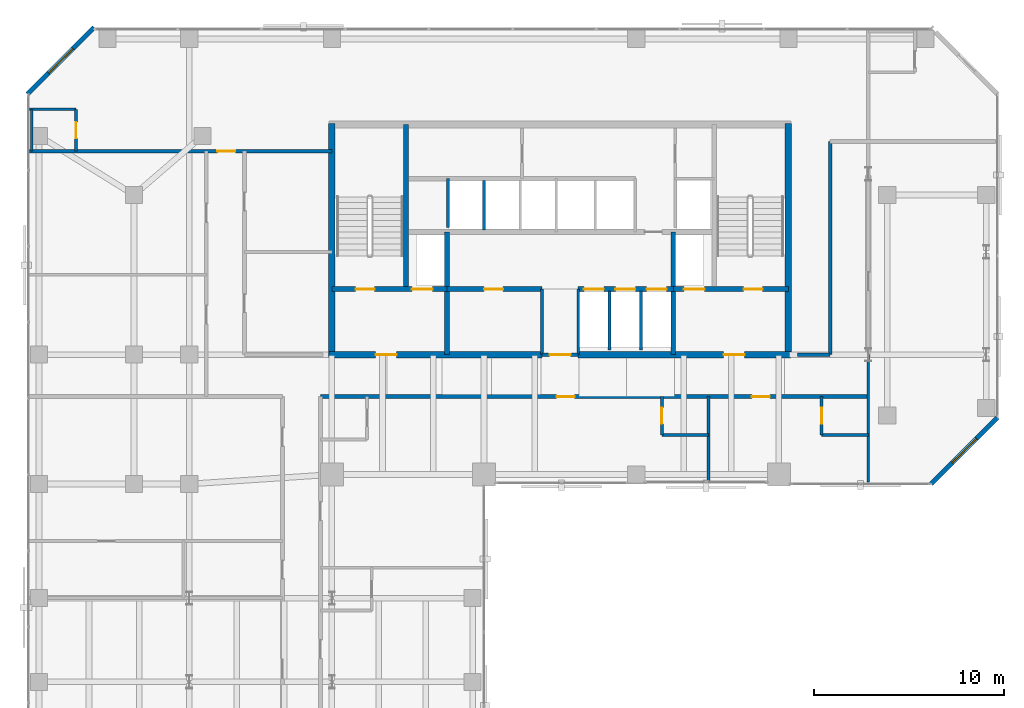
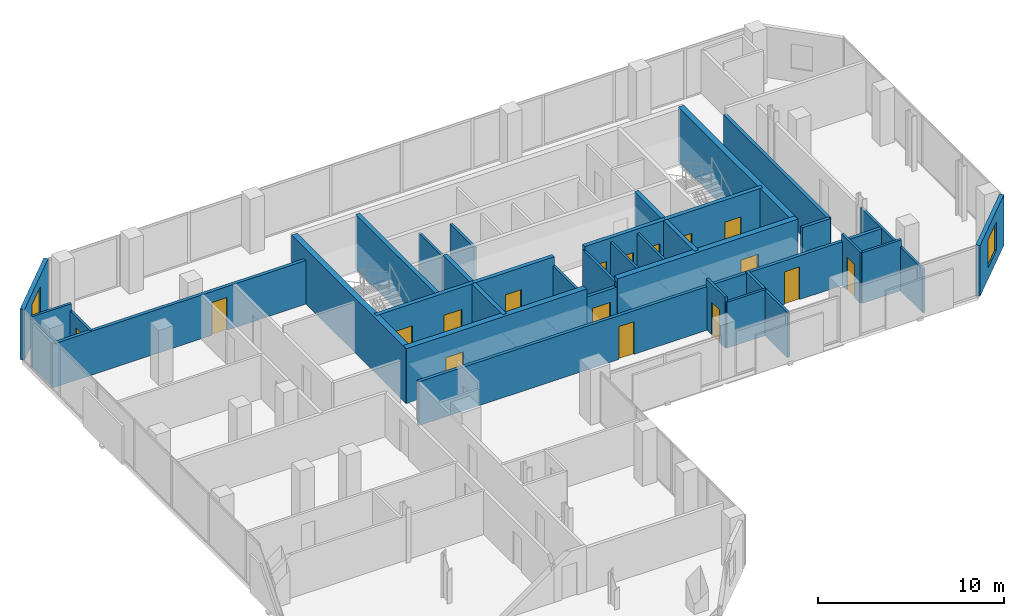
# One storey, part 29 of 33: 33 walls, 17 doors, 2 windows, 19 openings.
"""IFC4 building model written with IfcOpenShell, lengths in metres."""

from ifc_helpers import new_model, si_unit, direction, frame, frame_2d, origin, place, context, subcontext, project, spatial, rectangle, extrude, material, layer, layer_set, type_object, element, fill, save


model = new_model("IFC4")

# Units and contexts
model_context = context("Model", 3, precision=1e-05, world=origin(), true_north=direction((0.0, 1.0)))
body_context = subcontext(model_context, "Body", "Model", "MODEL_VIEW")
ifc_project = project(units=[si_unit("LENGTHUNIT", "METRE"), si_unit("AREAUNIT", "SQUARE_METRE"), si_unit("VOLUMEUNIT", "CUBIC_METRE"), si_unit("PLANEANGLEUNIT", "RADIAN"), si_unit("MASSUNIT", "GRAM", prefix="KILO")], contexts=[model_context])

# Site, building, storey
site_placement = place(None, origin())
site = spatial("IfcSite", under=ifc_project, at=site_placement, CompositionType="ELEMENT")
building_placement = place(site_placement, origin())
building = spatial("IfcBuilding", under=site, at=building_placement, Name="Catumbela Crestline Tower", CompositionType="ELEMENT")
storey_placement = place(building_placement, frame((0.0, 0.0, 104.4)))
storey = spatial("IfcBuildingStorey", under=building, at=storey_placement, Name="L26", CompositionType="ELEMENT", Elevation=104.4)

# Walls
ifc_material_1 = material(Name="Concrete C50/60", Category="concrete")
ifc_layer_1 = layer(ifc_material_1, 0.25, Name="Concrete C50/60")
ifc_layer_set_1 = layer_set([ifc_layer_1], Name="Concrete C50/60")
wall_type_1 = type_object("IfcWallType", Name="CW-250D", PredefinedType="SHEAR", material=ifc_layer_set_1)
wall_1_placement = place(storey_placement, frame((19.9, 34.25, 0.0), z_axis=(0.0, 0.0, 1.0), x_axis=(0.0, 1.0, 0.0)))
element("IfcWall", 1, at=wall_1_placement, inside=storey, type_object=wall_type_1, Name="L26 Structural Core Shear Wall WWEB", PredefinedType="SHEAR", context=body_context, shape_type="SweptSolid", body=[
    extrude(rectangle(XDim=8.65, YDim=0.25, at=frame_2d((4.325, 0.0))), origin(), (0.0, 0.0, 1.0), 3.6),
])
for number, where, z_axis, x_axis, name in (
    (2, (22.05, 30.8, 0.0), (0.0, 0.0, 1.0), (0.0, 1.0, 0.0), "L26 Structural Core Shear Wall FFW"),
    (3, (33.95, 30.8, 0.0), (0.0, 0.0, 1.0), (0.0, 1.0, 0.0), "L26 Structural Core Shear Wall FFE"),
):
    element("IfcWall", number, at=place(storey_placement, frame(where, z_axis=z_axis, x_axis=x_axis)), inside=storey, type_object=wall_type_1, Name=name, PredefinedType="SHEAR", context=body_context, shape_type="SweptSolid", body=[
        extrude(rectangle(XDim=6.45, YDim=0.25, at=frame_2d((3.225, 0.0))), origin(), (0.0, 0.0, 1.0), 3.6),
    ])

# Wall, openings, doors
wall_2_placement = place(storey_placement, frame((16.0, 34.25, 0.0), z_axis=(0.0, 0.0, 1.0), x_axis=(1.0, 0.0, 0.0)))
wall_2 = element("IfcWall", 4, at=wall_2_placement, inside=storey, type_object=wall_type_1, Name="L26 Structural Core Shear Wall ST1S", PredefinedType="SHEAR", context=body_context, shape_type="SweptSolid", body=[
    extrude(rectangle(XDim=6.05, YDim=0.25, at=frame_2d((3.025, 0.0))), origin(), (0.0, 0.0, 1.0), 3.6),
])
opening_1_placement = place(wall_2_placement, frame((1.25, 0.0, 0.0)))
opening_1 = element("IfcOpeningElement", 5, at=opening_1_placement, cuts=wall_2, Name="Opening DF9-100", PredefinedType="OPENING", context=body_context, shape_type="SweptSolid", body=[
    extrude(rectangle(XDim=1.0, YDim=2.15, at=frame_2d((0.5, 1.075))), frame((0.0, 0.135, 0.0), z_axis=(0.0, -1.0, 0.0), x_axis=(1.0, 0.0, 0.0)), (0.0, 0.0, 1.0), 0.27),
])
opening_2_placement = place(wall_2_placement, frame((4.2, 0.0, 0.0)))
opening_2 = element("IfcOpeningElement", 6, at=opening_2_placement, cuts=wall_2, Name="Opening LD-110", PredefinedType="OPENING", context=body_context, shape_type="SweptSolid", body=[
    extrude(rectangle(XDim=1.1, YDim=2.15, at=frame_2d((0.55, 1.075))), frame((0.0, 0.135, 0.0), z_axis=(0.0, -1.0, 0.0), x_axis=(1.0, 0.0, 0.0)), (0.0, 0.0, 1.0), 0.27),
])
ifc_material_2 = material(Name="Stainless steel EN 1.4401", Category="steel")
door_type_1 = type_object("IfcDoorType", Name="DF9-100", OperationType="NOTDEFINED", PredefinedType="DOOR", material=ifc_material_2)
door_1_placement = place(opening_1_placement, origin())
door_1 = element("IfcDoor", 7, at=door_1_placement, inside=storey, type_object=door_type_1, Name="L26 Interior Door DR-L26-ST01", OperationType="SINGLE_SWING_LEFT", OverallHeight=2.15, OverallWidth=1.0, PredefinedType="DOOR", context=body_context, shape_type="SweptSolid", body=[
    extrude(rectangle(XDim=1.0, YDim=2.15, at=frame_2d((0.5, 1.075))), frame((0.0, 0.025, 0.0), z_axis=(0.0, -1.0, 0.0), x_axis=(1.0, 0.0, 0.0)), (0.0, 0.0, 1.0), 0.05),
])
fill(opening_1, door_1)
door_type_2 = type_object("IfcDoorType", Name="LD-110", OperationType="NOTDEFINED", PredefinedType="DOOR", material=ifc_material_2)
door_2_placement = place(opening_2_placement, origin())
door_2 = element("IfcDoor", 8, at=door_2_placement, inside=storey, type_object=door_type_2, Name="L26 Lift Landing Sliding Door FL-01", OperationType="DOUBLE_DOOR_SLIDING", OverallHeight=2.15, OverallWidth=1.1, PredefinedType="DOOR", context=body_context, shape_type="SweptSolid", body=[
    extrude(rectangle(XDim=1.1, YDim=2.15, at=frame_2d((0.55, 1.075))), frame((0.0, 0.025, 0.0), z_axis=(0.0, -1.0, 0.0), x_axis=(1.0, 0.0, 0.0)), (0.0, 0.0, 1.0), 0.05),
])
fill(opening_2, door_2)

wall_3_placement = place(storey_placement, frame((33.95, 34.25, 0.0), z_axis=(0.0, 0.0, 1.0), x_axis=(1.0, 0.0, 0.0)))
wall_3 = element("IfcWall", 9, at=wall_3_placement, inside=storey, type_object=wall_type_1, Name="L26 Structural Core Shear Wall ST2S", PredefinedType="SHEAR", context=body_context, shape_type="SweptSolid", body=[
    extrude(rectangle(XDim=6.05, YDim=0.25, at=frame_2d((3.025, 0.0))), origin(), (0.0, 0.0, 1.0), 3.6),
])
opening_3_placement = place(wall_3_placement, frame((3.7, 0.0, 0.0)))
opening_3 = element("IfcOpeningElement", 10, at=opening_3_placement, cuts=wall_3, Name="Opening DF9-100", PredefinedType="OPENING", context=body_context, shape_type="SweptSolid", body=[
    extrude(rectangle(XDim=1.0, YDim=2.15, at=frame_2d((0.5, 1.075))), frame((0.0, 0.135, 0.0), z_axis=(0.0, -1.0, 0.0), x_axis=(1.0, 0.0, 0.0)), (0.0, 0.0, 1.0), 0.27),
])
opening_4_placement = place(wall_3_placement, frame((0.55, 0.0, 0.0)))
opening_4 = element("IfcOpeningElement", 11, at=opening_4_placement, cuts=wall_3, Name="Opening LD-110", PredefinedType="OPENING", context=body_context, shape_type="SweptSolid", body=[
    extrude(rectangle(XDim=1.1, YDim=2.15, at=frame_2d((0.55, 1.075))), frame((0.0, 0.135, 0.0), z_axis=(0.0, -1.0, 0.0), x_axis=(1.0, 0.0, 0.0)), (0.0, 0.0, 1.0), 0.27),
])
door_3_placement = place(opening_3_placement, origin())
door_3 = element("IfcDoor", 12, at=door_3_placement, inside=storey, type_object=door_type_1, Name="L26 Interior Door DR-L26-ST02", OperationType="SINGLE_SWING_RIGHT", OverallHeight=2.15, OverallWidth=1.0, PredefinedType="DOOR", context=body_context, shape_type="SweptSolid", body=[
    extrude(rectangle(XDim=1.0, YDim=2.15, at=frame_2d((0.5, 1.075))), frame((0.0, 0.025, 0.0), z_axis=(0.0, -1.0, 0.0), x_axis=(1.0, 0.0, 0.0)), (0.0, 0.0, 1.0), 0.05),
])
fill(opening_3, door_3)
door_4_placement = place(opening_4_placement, origin())
door_4 = element("IfcDoor", 13, at=door_4_placement, inside=storey, type_object=door_type_2, Name="L26 Lift Landing Sliding Door FL-02", OperationType="DOUBLE_DOOR_SLIDING", OverallHeight=2.15, OverallWidth=1.1, PredefinedType="DOOR", context=body_context, shape_type="SweptSolid", body=[
    extrude(rectangle(XDim=1.1, YDim=2.15, at=frame_2d((0.55, 1.075))), frame((0.0, 0.025, 0.0), z_axis=(0.0, -1.0, 0.0), x_axis=(1.0, 0.0, 0.0)), (0.0, 0.0, 1.0), 0.05),
])
fill(opening_4, door_4)

# Wall, opening, door
wall_4_placement = place(storey_placement, frame((22.05, 34.25, 0.0), z_axis=(0.0, 0.0, 1.0), x_axis=(1.0, 0.0, 0.0)))
wall_4 = element("IfcWall", 14, at=wall_4_placement, inside=storey, type_object=wall_type_1, Name="L26 Structural Core Shear Wall LIFTS-W", PredefinedType="SHEAR", context=body_context, shape_type="SweptSolid", body=[
    extrude(rectangle(XDim=5.0, YDim=0.25, at=frame_2d((2.5, 0.0))), origin(), (0.0, 0.0, 1.0), 3.6),
])
opening_5_placement = place(wall_4_placement, frame((1.95, 0.0, 0.0)))
opening_5 = element("IfcOpeningElement", 15, at=opening_5_placement, cuts=wall_4, Name="Opening DF9-100", PredefinedType="OPENING", context=body_context, shape_type="SweptSolid", body=[
    extrude(rectangle(XDim=1.0, YDim=2.15, at=frame_2d((0.5, 1.075))), frame((0.0, 0.135, 0.0), z_axis=(0.0, -1.0, 0.0), x_axis=(1.0, 0.0, 0.0)), (0.0, 0.0, 1.0), 0.27),
])
door_5_placement = place(opening_5_placement, origin())
door_5 = element("IfcDoor", 16, at=door_5_placement, inside=storey, type_object=door_type_1, Name="L26 Interior Door DR-L26-RECL1", OperationType="SINGLE_SWING_LEFT", OverallHeight=2.15, OverallWidth=1.0, PredefinedType="DOOR", context=body_context, shape_type="SweptSolid", body=[
    extrude(rectangle(XDim=1.0, YDim=2.15, at=frame_2d((0.5, 1.075))), frame((0.0, 0.025, 0.0), z_axis=(0.0, -1.0, 0.0), x_axis=(1.0, 0.0, 0.0)), (0.0, 0.0, 1.0), 0.05),
])
fill(opening_5, door_5)

# Wall, openings, doors
wall_5_placement = place(storey_placement, frame((28.95, 34.25, 0.0), z_axis=(0.0, 0.0, 1.0), x_axis=(1.0, 0.0, 0.0)))
wall_5 = element("IfcWall", 17, at=wall_5_placement, inside=storey, type_object=wall_type_1, Name="L26 Structural Core Shear Wall LIFTS-E", PredefinedType="SHEAR", context=body_context, shape_type="SweptSolid", body=[
    extrude(rectangle(XDim=5.0, YDim=0.25, at=frame_2d((2.5, 0.0))), origin(), (0.0, 0.0, 1.0), 3.6),
])
opening_6_placement = place(wall_5_placement, frame((0.3, 0.0, 0.0)))
opening_6 = element("IfcOpeningElement", 18, at=opening_6_placement, cuts=wall_5, Name="Opening LD-105", PredefinedType="OPENING", context=body_context, shape_type="SweptSolid", body=[
    extrude(rectangle(XDim=1.05, YDim=2.15, at=frame_2d((0.525, 1.075))), frame((0.0, 0.135, 0.0), z_axis=(0.0, -1.0, 0.0), x_axis=(1.0, 0.0, 0.0)), (0.0, 0.0, 1.0), 0.27),
])
opening_7_placement = place(wall_5_placement, frame((1.95, 0.0, 0.0)))
opening_7 = element("IfcOpeningElement", 19, at=opening_7_placement, cuts=wall_5, Name="Opening LD-105", PredefinedType="OPENING", context=body_context, shape_type="SweptSolid", body=[
    extrude(rectangle(XDim=1.05, YDim=2.15, at=frame_2d((0.525, 1.075))), frame((0.0, 0.135, 0.0), z_axis=(0.0, -1.0, 0.0), x_axis=(1.0, 0.0, 0.0)), (0.0, 0.0, 1.0), 0.27),
])
opening_8_placement = place(wall_5_placement, frame((3.6, 0.0, 0.0)))
opening_8 = element("IfcOpeningElement", 20, at=opening_8_placement, cuts=wall_5, Name="Opening LD-105", PredefinedType="OPENING", context=body_context, shape_type="SweptSolid", body=[
    extrude(rectangle(XDim=1.05, YDim=2.15, at=frame_2d((0.525, 1.075))), frame((0.0, 0.135, 0.0), z_axis=(0.0, -1.0, 0.0), x_axis=(1.0, 0.0, 0.0)), (0.0, 0.0, 1.0), 0.27),
])
door_type_3 = type_object("IfcDoorType", Name="LD-105", OperationType="NOTDEFINED", PredefinedType="DOOR", material=ifc_material_2)
door_6_placement = place(opening_6_placement, origin())
door_6 = element("IfcDoor", 21, at=door_6_placement, inside=storey, type_object=door_type_3, Name="L26 Lift Landing Sliding Door PL-M1", OperationType="DOUBLE_DOOR_SLIDING", OverallHeight=2.15, OverallWidth=1.05, PredefinedType="DOOR", context=body_context, shape_type="SweptSolid", body=[
    extrude(rectangle(XDim=1.05, YDim=2.15, at=frame_2d((0.525, 1.075))), frame((0.0, 0.025, 0.0), z_axis=(0.0, -1.0, 0.0), x_axis=(1.0, 0.0, 0.0)), (0.0, 0.0, 1.0), 0.05),
])
fill(opening_6, door_6)
door_7_placement = place(opening_7_placement, origin())
door_7 = element("IfcDoor", 22, at=door_7_placement, inside=storey, type_object=door_type_3, Name="L26 Lift Landing Sliding Door PL-M2", OperationType="DOUBLE_DOOR_SLIDING", OverallHeight=2.15, OverallWidth=1.05, PredefinedType="DOOR", context=body_context, shape_type="SweptSolid", body=[
    extrude(rectangle(XDim=1.05, YDim=2.15, at=frame_2d((0.525, 1.075))), frame((0.0, 0.025, 0.0), z_axis=(0.0, -1.0, 0.0), x_axis=(1.0, 0.0, 0.0)), (0.0, 0.0, 1.0), 0.05),
])
fill(opening_7, door_7)
door_8_placement = place(opening_8_placement, origin())
door_8 = element("IfcDoor", 23, at=door_8_placement, inside=storey, type_object=door_type_3, Name="L26 Lift Landing Sliding Door PL-M3", OperationType="DOUBLE_DOOR_SLIDING", OverallHeight=2.15, OverallWidth=1.05, PredefinedType="DOOR", context=body_context, shape_type="SweptSolid", body=[
    extrude(rectangle(XDim=1.05, YDim=2.15, at=frame_2d((0.525, 1.075))), frame((0.0, 0.025, 0.0), z_axis=(0.0, -1.0, 0.0), x_axis=(1.0, 0.0, 0.0)), (0.0, 0.0, 1.0), 0.05),
])
fill(opening_8, door_8)

# Walls
ifc_layer_2 = layer(ifc_material_1, 0.35, Name="Concrete C50/60")
ifc_layer_set_2 = layer_set([ifc_layer_2], Name="Concrete C50/60")
wall_type_2 = type_object("IfcWallType", Name="CW-350B", PredefinedType="SHEAR", material=ifc_layer_set_2)
for number, where, z_axis, x_axis, name in (
    (24, (16.0, 30.65, 0.0), (0.0, 0.0, 1.0), (0.0, 1.0, 0.0), "L26 Structural Core Shear Wall W"),
    (25, (40.0, 30.65, 0.0), (0.0, 0.0, 1.0), (0.0, 1.0, 0.0), "L26 Structural Core Shear Wall E"),
):
    element("IfcWall", number, at=place(storey_placement, frame(where, z_axis=z_axis, x_axis=x_axis)), inside=storey, type_object=wall_type_2, Name=name, PredefinedType="SHEAR", context=body_context, shape_type="SweptSolid", body=[
        extrude(rectangle(XDim=12.3, YDim=0.35, at=frame_2d((6.15, 0.0))), origin(), (0.0, 0.0, 1.0), 3.6),
    ])

# Wall, opening, door
wall_6_placement = place(storey_placement, frame((15.85, 30.8, 0.0), z_axis=(0.0, 0.0, 1.0), x_axis=(1.0, 0.0, 0.0)))
wall_6 = element("IfcWall", 26, at=wall_6_placement, inside=storey, type_object=wall_type_2, Name="L26 Structural Core Shear Wall SW", PredefinedType="SHEAR", context=body_context, shape_type="SweptSolid", body=[
    extrude(rectangle(XDim=11.2, YDim=0.35, at=frame_2d((5.6, 0.0))), origin(), (0.0, 0.0, 1.0), 3.6),
])
opening_9_placement = place(wall_6_placement, frame((2.45, 0.0, 0.0)))
opening_9 = element("IfcOpeningElement", 27, at=opening_9_placement, cuts=wall_6, Name="Opening DF9-110", PredefinedType="OPENING", context=body_context, shape_type="SweptSolid", body=[
    extrude(rectangle(XDim=1.1, YDim=2.15, at=frame_2d((0.55, 1.075))), frame((0.0, 0.185, 0.0), z_axis=(0.0, -1.0, 0.0), x_axis=(1.0, 0.0, 0.0)), (0.0, 0.0, 1.0), 0.37),
])
door_type_4 = type_object("IfcDoorType", Name="DF9-110", OperationType="NOTDEFINED", PredefinedType="DOOR", material=ifc_material_2)
door_9_placement = place(opening_9_placement, origin())
door_9 = element("IfcDoor", 28, at=door_9_placement, inside=storey, type_object=door_type_4, Name="L26 Interior Door DR-L26-FFW-S", OperationType="SINGLE_SWING_LEFT", OverallHeight=2.15, OverallWidth=1.1, PredefinedType="DOOR", context=body_context, shape_type="SweptSolid", body=[
    extrude(rectangle(XDim=1.1, YDim=2.15, at=frame_2d((0.55, 1.075))), frame((0.0, 0.025, 0.0), z_axis=(0.0, -1.0, 0.0), x_axis=(1.0, 0.0, 0.0)), (0.0, 0.0, 1.0), 0.05),
])
fill(opening_9, door_9)

wall_7_placement = place(storey_placement, frame((28.95, 30.8, 0.0), z_axis=(0.0, 0.0, 1.0), x_axis=(1.0, 0.0, 0.0)))
wall_7 = element("IfcWall", 29, at=wall_7_placement, inside=storey, type_object=wall_type_2, Name="L26 Structural Core Shear Wall SE", PredefinedType="SHEAR", context=body_context, shape_type="SweptSolid", body=[
    extrude(rectangle(XDim=11.2, YDim=0.35, at=frame_2d((5.6, 0.0))), origin(), (0.0, 0.0, 1.0), 3.6),
])
opening_10_placement = place(wall_7_placement, frame((7.65, 0.0, 0.0)))
opening_10 = element("IfcOpeningElement", 30, at=opening_10_placement, cuts=wall_7, Name="Opening DF9-110", PredefinedType="OPENING", context=body_context, shape_type="SweptSolid", body=[
    extrude(rectangle(XDim=1.1, YDim=2.15, at=frame_2d((0.55, 1.075))), frame((0.0, 0.185, 0.0), z_axis=(0.0, -1.0, 0.0), x_axis=(1.0, 0.0, 0.0)), (0.0, 0.0, 1.0), 0.37),
])
door_10_placement = place(opening_10_placement, origin())
door_10 = element("IfcDoor", 31, at=door_10_placement, inside=storey, type_object=door_type_4, Name="L26 Interior Door DR-L26-FFE-S", OperationType="SINGLE_SWING_RIGHT", OverallHeight=2.15, OverallWidth=1.1, PredefinedType="DOOR", context=body_context, shape_type="SweptSolid", body=[
    extrude(rectangle(XDim=1.1, YDim=2.15, at=frame_2d((0.55, 1.075))), frame((0.0, 0.025, 0.0), z_axis=(0.0, -1.0, 0.0), x_axis=(1.0, 0.0, 0.0)), (0.0, 0.0, 1.0), 0.05),
])
fill(opening_10, door_10)

ifc_material_3 = material(Name="Acoustic gypsum and mineral-wool partition")
ifc_layer_3 = layer(ifc_material_3, 0.2, Name="Acoustic gypsum and mineral-wool partition")
ifc_layer_set_3 = layer_set([ifc_layer_3], Name="Acoustic gypsum and mineral-wool partition")
wall_type_3 = type_object("IfcWallType", Name="WC-200", PredefinedType="PARTITIONING", material=ifc_layer_set_3)
wall_8_placement = place(storey_placement, frame((27.05, 30.8, 0.0), z_axis=(0.0, 0.0, 1.0), x_axis=(1.0, 0.0, 0.0)))
wall_8 = element("IfcWall", 32, at=wall_8_placement, inside=storey, type_object=wall_type_3, Name="L26 Interior Partition PW-L26-CLOBS", PredefinedType="PARTITIONING", context=body_context, shape_type="SweptSolid", body=[
    extrude(rectangle(XDim=1.9, YDim=0.2, at=frame_2d((0.95, 0.0))), origin(), (0.0, 0.0, 1.0), 3.01),
])
opening_11_placement = place(wall_8_placement, frame((0.4, 0.0, 0.0)))
opening_11 = element("IfcOpeningElement", 33, at=opening_11_placement, cuts=wall_8, Name="Opening DF9-110", PredefinedType="OPENING", context=body_context, shape_type="SweptSolid", body=[
    extrude(rectangle(XDim=1.1, YDim=2.15, at=frame_2d((0.55, 1.075))), frame((0.0, 0.11, 0.0), z_axis=(0.0, -1.0, 0.0), x_axis=(1.0, 0.0, 0.0)), (0.0, 0.0, 1.0), 0.22),
])
door_11_placement = place(opening_11_placement, origin())
door_11 = element("IfcDoor", 34, at=door_11_placement, inside=storey, type_object=door_type_4, Name="L26 Interior Door DR-L26-CLOBS", OperationType="SINGLE_SWING_LEFT", OverallHeight=2.15, OverallWidth=1.1, PredefinedType="DOOR", context=body_context, shape_type="SweptSolid", body=[
    extrude(rectangle(XDim=1.1, YDim=2.15, at=frame_2d((0.55, 1.075))), frame((0.0, 0.025, 0.0), z_axis=(0.0, -1.0, 0.0), x_axis=(1.0, 0.0, 0.0)), (0.0, 0.0, 1.0), 0.05),
])
fill(opening_11, door_11)

# Wall, openings, doors
wall_9_placement = place(storey_placement, frame((15.4, 28.6, 0.0), z_axis=(0.0, 0.0, 1.0), x_axis=(1.0, 0.0, 0.0)))
wall_9 = element("IfcWall", 35, at=wall_9_placement, inside=storey, type_object=wall_type_3, Name="L26 Interior Partition PW-L26-Z2CW-N2", PredefinedType="PARTITIONING", context=body_context, shape_type="SweptSolid", body=[
    extrude(rectangle(XDim=28.8, YDim=0.2, at=frame_2d((14.4, 0.0))), origin(), (0.0, 0.0, 1.0), 2.87),
])
opening_12_placement = place(wall_9_placement, frame((12.41, 0.0, 0.0)))
opening_12 = element("IfcOpeningElement", 36, at=opening_12_placement, cuts=wall_9, Name="Opening DF6-095", PredefinedType="OPENING", context=body_context, shape_type="SweptSolid", body=[
    extrude(rectangle(XDim=0.95, YDim=2.15, at=frame_2d((0.475, 1.075))), frame((0.0, 0.11, 0.0), z_axis=(0.0, -1.0, 0.0), x_axis=(1.0, 0.0, 0.0)), (0.0, 0.0, 1.0), 0.22),
])
opening_13_placement = place(wall_9_placement, frame((22.68, 0.0, 0.0)))
opening_13 = element("IfcOpeningElement", 37, at=opening_13_placement, cuts=wall_9, Name="Opening DF6-095", PredefinedType="OPENING", context=body_context, shape_type="SweptSolid", body=[
    extrude(rectangle(XDim=0.95, YDim=2.15, at=frame_2d((0.475, 1.075))), frame((0.0, 0.11, 0.0), z_axis=(0.0, -1.0, 0.0), x_axis=(1.0, 0.0, 0.0)), (0.0, 0.0, 1.0), 0.22),
])
ifc_material_4 = material(Name="Aluminium alloy AW-6060-T66", Category="aluminium")
door_type_5 = type_object("IfcDoorType", Name="DF6-095", OperationType="NOTDEFINED", PredefinedType="DOOR", material=ifc_material_4)
door_12_placement = place(opening_12_placement, origin())
door_12 = element("IfcDoor", 38, at=door_12_placement, inside=storey, type_object=door_type_5, Name="L26 Interior Door DR-L26-SS1-ENT", OperationType="SINGLE_SWING_RIGHT", OverallHeight=2.15, OverallWidth=0.95, PredefinedType="DOOR", context=body_context, shape_type="SweptSolid", body=[
    extrude(rectangle(XDim=0.95, YDim=2.15, at=frame_2d((0.475, 1.075))), frame((0.0, 0.025, 0.0), z_axis=(0.0, -1.0, 0.0), x_axis=(1.0, 0.0, 0.0)), (0.0, 0.0, 1.0), 0.05),
])
fill(opening_12, door_12)
door_13_placement = place(opening_13_placement, origin())
door_13 = element("IfcDoor", 39, at=door_13_placement, inside=storey, type_object=door_type_5, Name="L26 Interior Door DR-L26-SS2-ENT", OperationType="SINGLE_SWING_LEFT", OverallHeight=2.15, OverallWidth=0.95, PredefinedType="DOOR", context=body_context, shape_type="SweptSolid", body=[
    extrude(rectangle(XDim=0.95, YDim=2.15, at=frame_2d((0.475, 1.075))), frame((0.0, 0.025, 0.0), z_axis=(0.0, -1.0, 0.0), x_axis=(1.0, 0.0, 0.0)), (0.0, 0.0, 1.0), 0.05),
])
fill(opening_13, door_13)

# Walls
wall_10_placement = place(storey_placement, frame((40.47, 30.8, 0.0), z_axis=(0.0, 0.0, 1.0), x_axis=(1.0, 0.0, 0.0)))
element("IfcWall", 40, at=wall_10_placement, inside=storey, type_object=wall_type_3, Name="L26 Interior Partition PW-L26-Z2CW-E1", PredefinedType="PARTITIONING", context=body_context, shape_type="SweptSolid", body=[
    extrude(rectangle(XDim=1.73, YDim=0.2, at=frame_2d((0.865, 0.0))), origin(), (0.0, 0.0, 1.0), 2.87),
])
wall_11_placement = place(storey_placement, frame((42.2, 30.8, 0.0), z_axis=(0.0, 0.0, 1.0), x_axis=(0.0, 1.0, 0.0)))
element("IfcWall", 41, at=wall_11_placement, inside=storey, type_object=wall_type_3, Name="L26 Interior Partition PW-L26-Z2CW-E2", PredefinedType="PARTITIONING", context=body_context, shape_type="SweptSolid", body=[
    extrude(rectangle(XDim=11.2, YDim=0.2, at=frame_2d((5.6, 0.0))), origin(), (0.0, 0.0, 1.0), 2.87),
])

# Wall, opening, door
wall_12_placement = place(storey_placement, frame((0.1, 41.5, 0.0), z_axis=(0.0, 0.0, 1.0), x_axis=(1.0, 0.0, 0.0)))
wall_12 = element("IfcWall", 42, at=wall_12_placement, inside=storey, type_object=wall_type_3, Name="L26 Interior Partition PW-L26-Z2NWT-ENT", PredefinedType="PARTITIONING", context=body_context, shape_type="SweptSolid", body=[
    extrude(rectangle(XDim=15.9, YDim=0.2, at=frame_2d((7.95, 0.0))), origin(), (0.0, 0.0, 1.0), 2.87),
])
opening_14_placement = place(wall_12_placement, frame((9.8771, 0.0, 0.0)))
opening_14 = element("IfcOpeningElement", 43, at=opening_14_placement, cuts=wall_12, Name="Opening DF6-095", PredefinedType="OPENING", context=body_context, shape_type="SweptSolid", body=[
    extrude(rectangle(XDim=0.95, YDim=2.15, at=frame_2d((0.475, 1.075))), frame((0.0, 0.11, 0.0), z_axis=(0.0, -1.0, 0.0), x_axis=(1.0, 0.0, 0.0)), (0.0, 0.0, 1.0), 0.22),
])
door_14_placement = place(opening_14_placement, origin())
door_14 = element("IfcDoor", 44, at=door_14_placement, inside=storey, type_object=door_type_5, Name="L26 Interior Door DR-L26-Z2NWT-ENT", OperationType="SINGLE_SWING_RIGHT", OverallHeight=2.15, OverallWidth=0.95, PredefinedType="DOOR", context=body_context, shape_type="SweptSolid", body=[
    extrude(rectangle(XDim=0.95, YDim=2.15, at=frame_2d((0.475, 1.075))), frame((0.0, 0.025, 0.0), z_axis=(0.0, -1.0, 0.0), x_axis=(1.0, 0.0, 0.0)), (0.0, 0.0, 1.0), 0.05),
])
fill(opening_14, door_14)

# Wall, opening, window
ifc_material_5 = material(Name="Angolan grey-ochre granite", Category="masonry")
ifc_layer_4 = layer(ifc_material_5, 0.25, Name="Angolan grey-ochre granite")
ifc_layer_set_4 = layer_set([ifc_layer_4], Name="Angolan grey-ochre granite")
wall_type_4 = type_object("IfcWallType", Name="WE-250", PredefinedType="STANDARD", material=ifc_layer_set_4)
wall_13_placement = place(storey_placement, frame((47.5, 24.0, 0.0), z_axis=(0.0, 0.0, 1.0), x_axis=(0.707106781187, 0.707106781187, 0.0)))
wall_13 = element("IfcWall", 45, at=wall_13_placement, inside=storey, type_object=wall_type_4, Name="L26 Granite Punched Window Wall 4-1", PredefinedType="STANDARD", context=body_context, shape_type="SweptSolid", body=[
    extrude(rectangle(XDim=4.9497, YDim=0.25, at=frame_2d((2.4748, 0.0))), origin(), (0.0, 0.0, 1.0), 3.33),
])
opening_15_placement = place(wall_13_placement, frame((1.5749, 0.0, 0.75)))
opening_15 = element("IfcOpeningElement", 46, at=opening_15_placement, cuts=wall_13, Name="Opening WN-01", PredefinedType="OPENING", context=body_context, shape_type="SweptSolid", body=[
    extrude(rectangle(XDim=1.8, YDim=1.85, at=frame_2d((0.9, 0.925))), frame((0.0, 0.135, 0.0), z_axis=(0.0, -1.0, 0.0), x_axis=(1.0, 0.0, 0.0)), (0.0, 0.0, 1.0), 0.27),
])
ifc_material_6 = material(Name="Low-E laminated solar-control double glazing", Category="glass")
window_type = type_object("IfcWindowType", Name="WF-1800", PartitioningType="SINGLE_PANEL", PredefinedType="WINDOW", material=ifc_material_6)
window_1_placement = place(opening_15_placement, origin())
window_1 = element("IfcWindow", 47, at=window_1_placement, inside=storey, type_object=window_type, Name="L26 Facade Vision Window 151", OverallHeight=1.85, OverallWidth=1.8, PartitioningType="SINGLE_PANEL", PredefinedType="WINDOW", context=body_context, shape_type="SweptSolid", body=[
    extrude(rectangle(XDim=1.8, YDim=1.85, at=frame_2d((0.9, 0.925))), frame((0.0, 0.03, 0.0), z_axis=(0.0, -1.0, 0.0), x_axis=(1.0, 0.0, 0.0)), (0.0, 0.0, 1.0), 0.06),
])
fill(opening_15, window_1)

wall_14_placement = place(storey_placement, frame((3.5, 48.0, 0.0), z_axis=(0.0, 0.0, 1.0), x_axis=(-0.707106781187, -0.707106781187, 0.0)))
wall_14 = element("IfcWall", 48, at=wall_14_placement, inside=storey, type_object=wall_type_4, Name="L26 Granite Punched Window Wall 8-1", PredefinedType="STANDARD", context=body_context, shape_type="SweptSolid", body=[
    extrude(rectangle(XDim=4.9497, YDim=0.25, at=frame_2d((2.4748, 0.0))), origin(), (0.0, 0.0, 1.0), 3.33),
])
opening_16_placement = place(wall_14_placement, frame((1.5749, 0.0, 0.75)))
opening_16 = element("IfcOpeningElement", 49, at=opening_16_placement, cuts=wall_14, Name="Opening WN-01", PredefinedType="OPENING", context=body_context, shape_type="SweptSolid", body=[
    extrude(rectangle(XDim=1.8, YDim=1.85, at=frame_2d((0.9, 0.925))), frame((0.0, 0.135, 0.0), z_axis=(0.0, -1.0, 0.0), x_axis=(1.0, 0.0, 0.0)), (0.0, 0.0, 1.0), 0.27),
])
window_2_placement = place(opening_16_placement, origin())
window_2 = element("IfcWindow", 50, at=window_2_placement, inside=storey, type_object=window_type, Name="L26 Facade Vision Window 153", OverallHeight=1.85, OverallWidth=1.8, PartitioningType="SINGLE_PANEL", PredefinedType="WINDOW", context=body_context, shape_type="SweptSolid", body=[
    extrude(rectangle(XDim=1.8, YDim=1.85, at=frame_2d((0.9, 0.925))), frame((0.0, 0.03, 0.0), z_axis=(0.0, -1.0, 0.0), x_axis=(1.0, 0.0, 0.0)), (0.0, 0.0, 1.0), 0.06),
])
fill(opening_16, window_2)

# Wall
ifc_layer_5 = layer(ifc_material_3, 0.15, Name="Acoustic gypsum and mineral-wool partition")
ifc_layer_set_5 = layer_set([ifc_layer_5], Name="Acoustic gypsum and mineral-wool partition")
wall_type_5 = type_object("IfcWallType", Name="WP-150", PredefinedType="PARTITIONING", material=ifc_layer_set_5)
wall_15_placement = place(storey_placement, frame((0.1, 43.7, 0.0), z_axis=(0.0, 0.0, 1.0), x_axis=(1.0, 0.0, 0.0)))
element("IfcWall", 51, at=wall_15_placement, inside=storey, type_object=wall_type_5, Name="L26 Interior Partition PW-L26-Z2NWT-BHW", PredefinedType="PARTITIONING", context=body_context, shape_type="SweptSolid", body=[
    extrude(rectangle(XDim=2.45, YDim=0.15, at=frame_2d((1.225, 0.0))), origin(), (0.0, 0.0, 1.0), 3.33),
])

# Wall, opening, door
wall_16_placement = place(storey_placement, frame((2.55, 41.5, 0.0), z_axis=(0.0, 0.0, 1.0), x_axis=(0.0, 1.0, 0.0)))
wall_16 = element("IfcWall", 52, at=wall_16_placement, inside=storey, type_object=wall_type_5, Name="L26 Interior Partition PW-L26-Z2NWT-BEW", PredefinedType="PARTITIONING", context=body_context, shape_type="SweptSolid", body=[
    extrude(rectangle(XDim=2.2, YDim=0.15, at=frame_2d((1.1, 0.0))), origin(), (0.0, 0.0, 1.0), 2.87),
])
opening_17_placement = place(wall_16_placement, frame((0.675, 0.0, 0.0)))
opening_17 = element("IfcOpeningElement", 53, at=opening_17_placement, cuts=wall_16, Name="Opening DI-085", PredefinedType="OPENING", context=body_context, shape_type="SweptSolid", body=[
    extrude(rectangle(XDim=0.85, YDim=2.15, at=frame_2d((0.425, 1.075))), frame((0.0, 0.085, 0.0), z_axis=(0.0, -1.0, 0.0), x_axis=(1.0, 0.0, 0.0)), (0.0, 0.0, 1.0), 0.17),
])
door_type_6 = type_object("IfcDoorType", Name="DI-085", OperationType="NOTDEFINED", PredefinedType="DOOR", material=ifc_material_4)
door_15_placement = place(opening_17_placement, origin())
door_15 = element("IfcDoor", 54, at=door_15_placement, inside=storey, type_object=door_type_6, Name="L26 Interior Door DR-L26-Z2NWT-BTH", OperationType="SINGLE_SWING_LEFT", OverallHeight=2.15, OverallWidth=0.85, PredefinedType="DOOR", context=body_context, shape_type="SweptSolid", body=[
    extrude(rectangle(XDim=0.85, YDim=2.15, at=frame_2d((0.425, 1.075))), frame((0.0, 0.025, 0.0), z_axis=(0.0, -1.0, 0.0), x_axis=(1.0, 0.0, 0.0)), (0.0, 0.0, 1.0), 0.05),
])
fill(opening_17, door_15)

# Walls
wall_17_placement = place(storey_placement, frame((0.22, 41.5, 0.0), z_axis=(0.0, 0.0, 1.0), x_axis=(0.0, 1.0, 0.0)))
element("IfcWall", 55, at=wall_17_placement, inside=storey, type_object=wall_type_5, Name="L26 Interior Partition PW-L26-Z2NWT-BCL-2", PredefinedType="PARTITIONING", context=body_context, shape_type="SweptSolid", body=[
    extrude(rectangle(XDim=2.2, YDim=0.15, at=frame_2d((1.1, 0.0))), origin(), (0.0, 0.0, 1.0), 2.87),
])
wall_18_placement = place(storey_placement, frame((33.35, 26.576, 0.0), z_axis=(0.0, 0.0, 1.0), x_axis=(1.0, 0.0, 0.0)))
element("IfcWall", 56, at=wall_18_placement, inside=storey, type_object=wall_type_5, Name="L26 Interior Partition PW-L26-SS1-BHW", PredefinedType="PARTITIONING", context=body_context, shape_type="SweptSolid", body=[
    extrude(rectangle(XDim=2.45, YDim=0.15, at=frame_2d((1.225, 0.0))), origin(), (0.0, 0.0, 1.0), 3.01),
])

# Wall, opening, door
wall_19_placement = place(storey_placement, frame((33.35, 26.576, 0.0), z_axis=(0.0, 0.0, 1.0), x_axis=(0.0, 1.0, 0.0)))
wall_19 = element("IfcWall", 57, at=wall_19_placement, inside=storey, type_object=wall_type_5, Name="L26 Interior Partition PW-L26-SS1-BWW", PredefinedType="PARTITIONING", context=body_context, shape_type="SweptSolid", body=[
    extrude(rectangle(XDim=2.024, YDim=0.15, at=frame_2d((1.012, 0.0))), origin(), (0.0, 0.0, 1.0), 3.33),
])
opening_18_placement = place(wall_19_placement, frame((0.587, 0.0, 0.0)))
opening_18 = element("IfcOpeningElement", 58, at=opening_18_placement, cuts=wall_19, Name="Opening DI-085", PredefinedType="OPENING", context=body_context, shape_type="SweptSolid", body=[
    extrude(rectangle(XDim=0.85, YDim=2.15, at=frame_2d((0.425, 1.075))), frame((0.0, 0.085, 0.0), z_axis=(0.0, -1.0, 0.0), x_axis=(1.0, 0.0, 0.0)), (0.0, 0.0, 1.0), 0.17),
])
door_16_placement = place(opening_18_placement, origin())
door_16 = element("IfcDoor", 59, at=door_16_placement, inside=storey, type_object=door_type_6, Name="L26 Interior Door DR-L26-SS1-BTH", OperationType="SINGLE_SWING_RIGHT", OverallHeight=2.15, OverallWidth=0.85, PredefinedType="DOOR", context=body_context, shape_type="SweptSolid", body=[
    extrude(rectangle(XDim=0.85, YDim=2.15, at=frame_2d((0.425, 1.075))), frame((0.0, 0.025, 0.0), z_axis=(0.0, -1.0, 0.0), x_axis=(1.0, 0.0, 0.0)), (0.0, 0.0, 1.0), 0.05),
])
fill(opening_18, door_16)

# Walls
wall_20_placement = place(storey_placement, frame((35.8, 28.6, 0.0), z_axis=(0.0, 0.0, 1.0), x_axis=(0.0, -1.0, 0.0)))
element("IfcWall", 60, at=wall_20_placement, inside=storey, type_object=wall_type_5, Name="L26 Interior Partition PW-L26-SS1-BCL-2", PredefinedType="PARTITIONING", context=body_context, shape_type="SweptSolid", body=[
    extrude(rectangle(XDim=4.5, YDim=0.15, at=frame_2d((2.25, 0.0))), origin(), (0.0, 0.0, 1.0), 2.96),
])
wall_21_placement = place(storey_placement, frame((41.75, 26.576, 0.0), z_axis=(0.0, 0.0, 1.0), x_axis=(1.0, 0.0, 0.0)))
element("IfcWall", 61, at=wall_21_placement, inside=storey, type_object=wall_type_5, Name="L26 Interior Partition PW-L26-SS2-BHW", PredefinedType="PARTITIONING", context=body_context, shape_type="SweptSolid", body=[
    extrude(rectangle(XDim=2.45, YDim=0.15, at=frame_2d((1.225, 0.0))), origin(), (0.0, 0.0, 1.0), 3.33),
])

# Wall, opening, door
wall_22_placement = place(storey_placement, frame((41.75, 26.576, 0.0), z_axis=(0.0, 0.0, 1.0), x_axis=(0.0, 1.0, 0.0)))
wall_22 = element("IfcWall", 62, at=wall_22_placement, inside=storey, type_object=wall_type_5, Name="L26 Interior Partition PW-L26-SS2-BWW", PredefinedType="PARTITIONING", context=body_context, shape_type="SweptSolid", body=[
    extrude(rectangle(XDim=2.024, YDim=0.15, at=frame_2d((1.012, 0.0))), origin(), (0.0, 0.0, 1.0), 3.33),
])
opening_19_placement = place(wall_22_placement, frame((0.587, 0.0, 0.0)))
opening_19 = element("IfcOpeningElement", 63, at=opening_19_placement, cuts=wall_22, Name="Opening DI-085", PredefinedType="OPENING", context=body_context, shape_type="SweptSolid", body=[
    extrude(rectangle(XDim=0.85, YDim=2.15, at=frame_2d((0.425, 1.075))), frame((0.0, 0.085, 0.0), z_axis=(0.0, -1.0, 0.0), x_axis=(1.0, 0.0, 0.0)), (0.0, 0.0, 1.0), 0.17),
])
door_17_placement = place(opening_19_placement, origin())
door_17 = element("IfcDoor", 64, at=door_17_placement, inside=storey, type_object=door_type_6, Name="L26 Interior Door DR-L26-SS2-BTH", OperationType="SINGLE_SWING_RIGHT", OverallHeight=2.15, OverallWidth=0.85, PredefinedType="DOOR", context=body_context, shape_type="SweptSolid", body=[
    extrude(rectangle(XDim=0.85, YDim=2.15, at=frame_2d((0.425, 1.075))), frame((0.0, 0.025, 0.0), z_axis=(0.0, -1.0, 0.0), x_axis=(1.0, 0.0, 0.0)), (0.0, 0.0, 1.0), 0.05),
])
fill(opening_19, door_17)

# Walls
wall_23_placement = place(storey_placement, frame((44.2, 30.8, 0.0), z_axis=(0.0, 0.0, 1.0), x_axis=(0.0, -1.0, 0.0)))
element("IfcWall", 65, at=wall_23_placement, inside=storey, type_object=wall_type_5, Name="L26 Interior Partition PW-L26-SS2-BCL-2", PredefinedType="PARTITIONING", context=body_context, shape_type="SweptSolid", body=[
    extrude(rectangle(XDim=6.7, YDim=0.15, at=frame_2d((3.35, 0.0))), origin(), (0.0, 0.0, 1.0), 2.87),
])
ifc_layer_6 = layer(ifc_material_3, 0.15, Name="Acoustic gypsum and mineral-wool partition")
ifc_layer_set_6 = layer_set([ifc_layer_6], Name="Acoustic gypsum and mineral-wool partition")
wall_type_6 = type_object("IfcWallType", Name="WS-150", PredefinedType="PLUMBINGWALL", material=ifc_layer_set_6)
wall_24_placement = place(storey_placement, frame((27.05, 30.8, 0.0), z_axis=(0.0, 0.0, 1.0), x_axis=(0.0, 1.0, 0.0)))
element("IfcWall", 66, at=wall_24_placement, inside=storey, type_object=wall_type_6, Name="L26 Interior Partition PW-L26-THRW", PredefinedType="PLUMBINGWALL", context=body_context, shape_type="SweptSolid", body=[
    extrude(rectangle(XDim=3.45, YDim=0.15, at=frame_2d((1.725, 0.0))), origin(), (0.0, 0.0, 1.0), 3.01),
])
wall_25_placement = place(storey_placement, frame((28.95, 30.8, 0.0), z_axis=(0.0, 0.0, 1.0), x_axis=(0.0, 1.0, 0.0)))
element("IfcWall", 67, at=wall_25_placement, inside=storey, type_object=wall_type_6, Name="L26 Interior Partition PW-L26-THRE", PredefinedType="PLUMBINGWALL", context=body_context, shape_type="SweptSolid", body=[
    extrude(rectangle(XDim=3.45, YDim=0.15, at=frame_2d((1.725, 0.0))), origin(), (0.0, 0.0, 1.0), 3.33),
])
for number, where, z_axis, x_axis, name in (
    (68, (30.6, 31.05, 0.0), (0.0, 0.0, 1.0), (0.0, 1.0, 0.0), "L26 Interior Partition PW-L26-SHM1"),
    (69, (32.25, 31.05, 0.0), (0.0, 0.0, 1.0), (0.0, 1.0, 0.0), "L26 Interior Partition PW-L26-SHM2"),
):
    element("IfcWall", number, at=place(storey_placement, frame(where, z_axis=z_axis, x_axis=x_axis)), inside=storey, type_object=wall_type_6, Name=name, PredefinedType="PLUMBINGWALL", context=body_context, shape_type="SweptSolid", body=[
        extrude(rectangle(XDim=3.1, YDim=0.15, at=frame_2d((1.55, 0.0))), origin(), (0.0, 0.0, 1.0), 3.33),
    ])
wall_26_placement = place(storey_placement, frame((22.1, 37.4897, 0.0), z_axis=(0.0, 0.0, 1.0), x_axis=(0.0, 1.0, 0.0)))
element("IfcWall", 70, at=wall_26_placement, inside=storey, type_object=wall_type_6, Name="L26 Interior Partition PW-L26-SHH0", PredefinedType="PLUMBINGWALL", context=body_context, shape_type="SweptSolid", body=[
    extrude(rectangle(XDim=2.5603, YDim=0.15, at=frame_2d((1.2801, 0.0))), origin(), (0.0, 0.0, 1.0), 3.33),
])
wall_27_placement = place(storey_placement, frame((24.0, 37.35, 0.0), z_axis=(0.0, 0.0, 1.0), x_axis=(0.0, 1.0, 0.0)))
element("IfcWall", 71, at=wall_27_placement, inside=storey, type_object=wall_type_6, Name="L26 Interior Partition PW-L26-SHH1", PredefinedType="PLUMBINGWALL", context=body_context, shape_type="SweptSolid", body=[
    extrude(rectangle(XDim=2.6, YDim=0.15, at=frame_2d((1.3, 0.0))), origin(), (0.0, 0.0, 1.0), 3.33),
])

save(model, "model.ifc")
